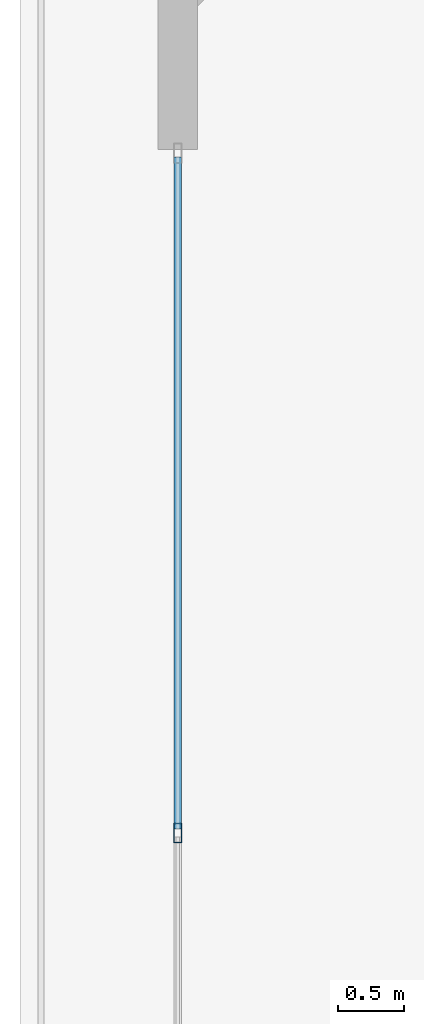
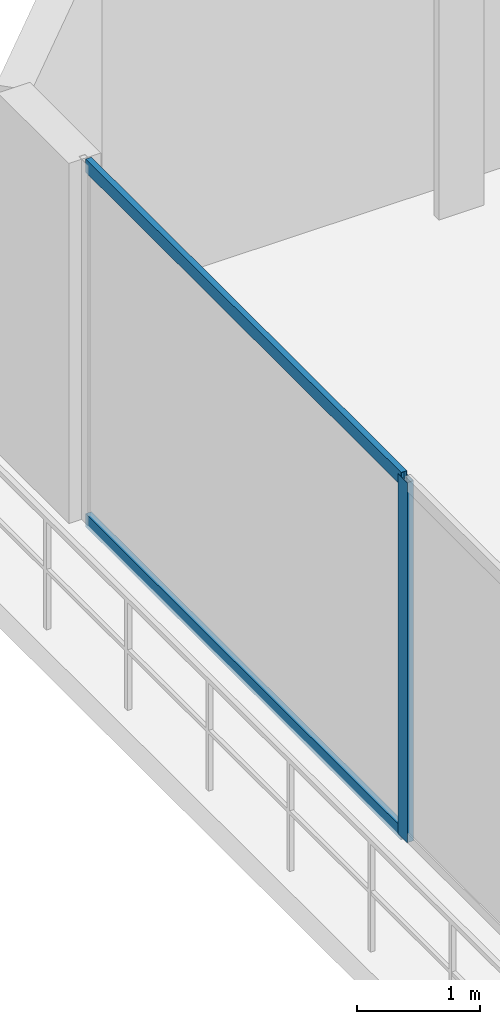
# One storey, part 10 of 26: 3 members, 1 element without a shape of its own.
"""IFC4 building model written with IfcOpenShell, lengths in metres."""

from ifc_helpers import new_model, si_unit, direction, frame, origin, origin_2d, place, context, subcontext, project, spatial, hollow_rectangle, extrude, material, layer, layer_set, material_profile, profile_set, type_object, element, aggregate, save


model = new_model("IFC4")

# Units and contexts
model_context = context("Model", 3, precision=1e-05, world=origin(), true_north=direction((0.0, 1.0)))
body_context = subcontext(model_context, "Body", "Model", "MODEL_VIEW")
ifc_project = project(units=[si_unit("LENGTHUNIT", "METRE"), si_unit("AREAUNIT", "SQUARE_METRE"), si_unit("VOLUMEUNIT", "CUBIC_METRE"), si_unit("PLANEANGLEUNIT", "RADIAN"), si_unit("MASSUNIT", "GRAM", prefix="KILO")], contexts=[model_context])

# Site, building, storey
site_placement = place(None, origin())
site = spatial("IfcSite", under=ifc_project, at=site_placement, CompositionType="ELEMENT")
building_placement = place(site_placement, origin())
building = spatial("IfcBuilding", under=site, at=building_placement, Name="Zuhayl Quay Hotel", CompositionType="ELEMENT")
storey_placement = place(building_placement, frame((0.0, 0.0, 301.050048828125)))
storey = spatial("IfcBuildingStorey", under=building, at=storey_placement, Name="Crown 2", CompositionType="ELEMENT", Elevation=301.050048828125)

# Curtain wall, members
ifc_material_1 = material(Name="Anodised Aluminium 6063-T6", Category="aluminium")
ifc_layer = layer(ifc_material_1, 0.159912109375, Name="Anodised Aluminium 6063-T6", Category="aluminium")
ifc_layer_set = layer_set([ifc_layer], Name="Anodised Aluminium 6063-T6")
curtain_wall_type = type_object("IfcCurtainWallType", Name="CW_SYS_CRN", PredefinedType="USERDEFINED", material=ifc_layer_set)
curtain_wall_placement = place(storey_placement, origin())
curtain_wall = element("IfcCurtainWall", 1, at=curtain_wall_placement, inside=storey, type_object=curtain_wall_type, Name="Crown 2 Curtain Wall ENV_CR2_E1_CW2", ObjectType="UNITISED CURTAIN WALL", PredefinedType="USERDEFINED")
ifc_material_2 = material(Name="Black-anodised aluminium 6063-T6", Category="aluminium")
ifc_material_profile_1 = material_profile(ifc_material_2, hollow_rectangle(XDim=0.06005859375, YDim=0.14990234375, WallThickness=0.00341796875, at=origin_2d()), Name="ALU150X60")
ifc_profile_set_1 = profile_set([ifc_material_profile_1], Name="Black-anodised aluminium 6063-T6")
member_type_1 = type_object("IfcMemberType", Name="MB_CW_MUL_150", PredefinedType="MULLION", material=ifc_profile_set_1)
member_1_placement = place(storey_placement, frame((-18.60009765625, 30.699951171875, 0.0), z_axis=(0.0, 0.0, 1.0), x_axis=(-1.0, 0.0, 0.0)))
member_1 = element("IfcMember", 2, at=member_1_placement, type_object=member_type_1, Name="CW-CRN mullion 4", PredefinedType="MULLION", context=body_context, shape_type="SweptSolid", body=[
    extrude(hollow_rectangle(XDim=0.06005859375, YDim=0.14990234375, WallThickness=0.00341796875, at=origin_2d()), origin(), (0.0, 0.0, 1.0), 3.56005859375),
])
ifc_material_profile_2 = material_profile(ifc_material_2, hollow_rectangle(XDim=0.054931640625, YDim=0.1298828125, WallThickness=0.0029296875, at=origin_2d()), Name="ALU130X55")
ifc_profile_set_2 = profile_set([ifc_material_profile_2], Name="Black-anodised aluminium 6063-T6")
member_type_2 = type_object("IfcMemberType", Name="MB_CW_TRN_130", PredefinedType="USERDEFINED", material=ifc_profile_set_2)
member_2_placement = place(storey_placement, frame((-18.60009765625, 30.72998046875, 0.02734375), z_axis=(0.0, 1.0, 0.0), x_axis=(-1.0, 0.0, 0.0)))
member_2 = element("IfcMember", 3, at=member_2_placement, type_object=member_type_2, Name="CW-CRN transom 4.1", ObjectType="TRANSOM", PredefinedType="USERDEFINED", context=body_context, shape_type="SweptSolid", body=[
    extrude(hollow_rectangle(XDim=0.054931640625, YDim=0.1298828125, WallThickness=0.0029296875, at=origin_2d()), origin(), (0.0, 0.0, 1.0), 5.110107421875),
])
member_3_placement = place(storey_placement, frame((-18.60009765625, 30.72998046875, 3.532470703125), z_axis=(0.0, 1.0, 0.0), x_axis=(-1.0, 0.0, 0.0)))
member_3 = element("IfcMember", 4, at=member_3_placement, type_object=member_type_2, Name="CW-CRN transom 4.2", ObjectType="TRANSOM", PredefinedType="USERDEFINED", context=body_context, shape_type="SweptSolid", body=[
    extrude(hollow_rectangle(XDim=0.054931640625, YDim=0.1298828125, WallThickness=0.0029296875, at=origin_2d()), origin(), (0.0, 0.0, 1.0), 5.110107421875),
])
aggregate(curtain_wall, [member_1, member_2, member_3])

save(model, "model.ifc")
